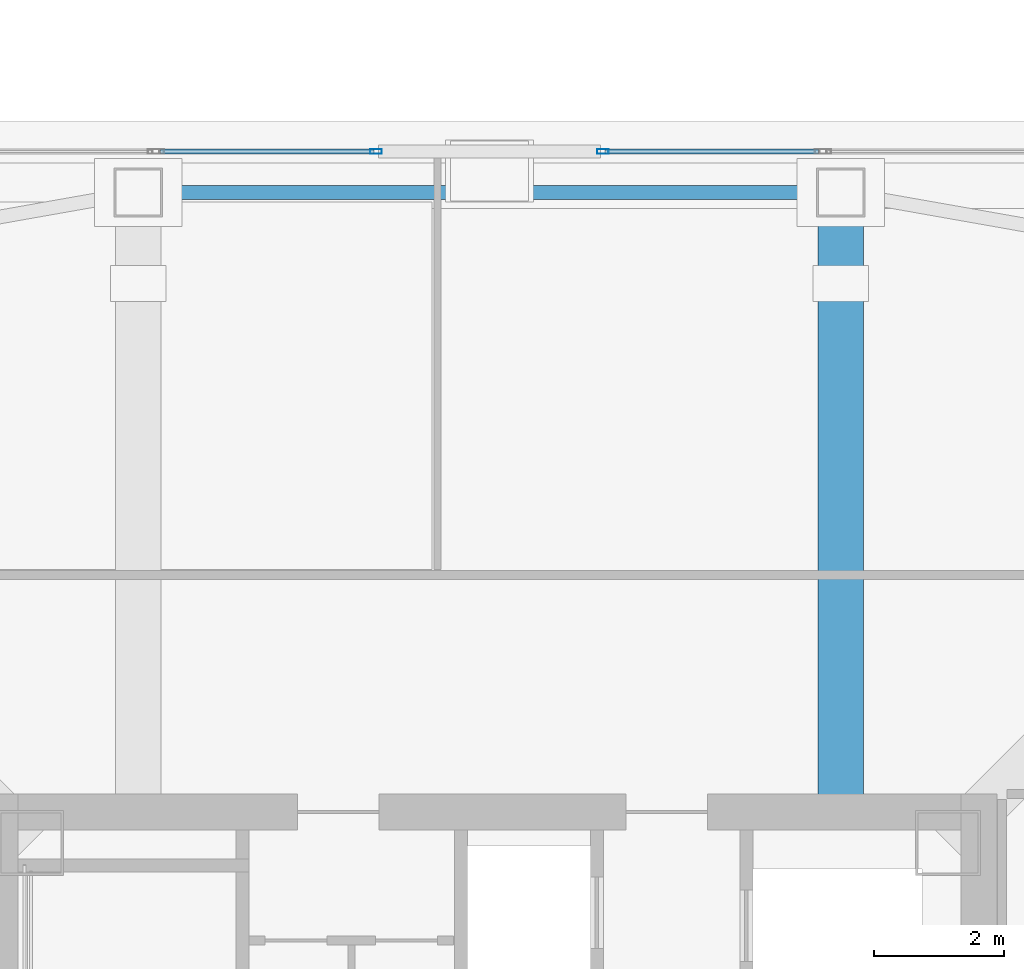
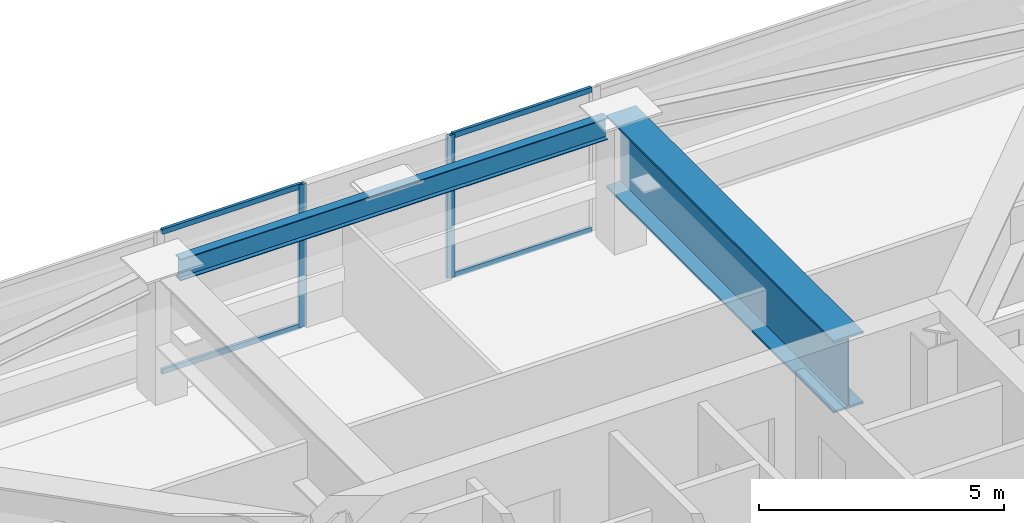
# One storey, part 13 of 42: 6 members, 2 beams, 2 elements without a shape of their own.
"""IFC4 building model written with IfcOpenShell, lengths in metres."""

from ifc_helpers import new_model, si_unit, direction, frame, origin, origin_2d, place, context, subcontext, project, spatial, hollow_rectangle, i_section, extrude, material, material_profile, profile_set, type_object, element, aggregate, save


model = new_model("IFC4")

# Units and contexts
model_context = context("Model", 3, precision=1e-05, world=origin(), true_north=direction((0.0, 1.0)))
body_context = subcontext(model_context, "Body", "Model", "MODEL_VIEW")
ifc_project = project(units=[si_unit("LENGTHUNIT", "METRE"), si_unit("AREAUNIT", "SQUARE_METRE"), si_unit("VOLUMEUNIT", "CUBIC_METRE"), si_unit("PLANEANGLEUNIT", "RADIAN"), si_unit("MASSUNIT", "GRAM", prefix="KILO")], contexts=[model_context])

# Site, building, storey
site_placement = place(None, origin())
site = spatial("IfcSite", under=ifc_project, at=site_placement, CompositionType="ELEMENT")
building_placement = place(site_placement, origin())
building = spatial("IfcBuilding", under=site, at=building_placement, Name="Tashvorn Skyway Center", CompositionType="ELEMENT")
storey_placement = place(building_placement, frame((0.0, 0.0, 196.050048828125)))
storey = spatial("IfcBuildingStorey", under=building, at=storey_placement, Name="L53", CompositionType="ELEMENT", Elevation=196.050048828125)

# Beams
ifc_material_1 = material(Name="Steel ASTM A572 Grade 50", Category="steel")
ifc_material_profile_1 = material_profile(ifc_material_1, i_section(OverallWidth=0.699951171875, OverallDepth=1.800048828125, WebThickness=0.031982421875, FlangeThickness=0.050048828125, at=origin_2d()), Name="PG1800x700")
ifc_profile_set_1 = profile_set([ifc_material_profile_1], Name="Steel ASTM A572 Grade 50")
beam_type_1 = type_object("IfcBeamType", Name="BM-BEAM-PG1800x700", PredefinedType="BEAM", material=ifc_profile_set_1)
beam_1_placement = place(storey_placement, frame((47.39990234375, 49.050048828125, 2.349853515625), z_axis=(0.0, -1.0, 0.0), x_axis=(1.0, 0.0, 0.0)))
element("IfcBeam", 1, at=beam_1_placement, inside=storey, type_object=beam_type_1, Name="Tower 1 L53 Setback Transfer Girder FC-N1", PredefinedType="BEAM", context=body_context, shape_type="SweptSolid", body=[
    extrude(i_section(OverallWidth=0.699951171875, OverallDepth=1.800048828125, WebThickness=0.031982421875, FlangeThickness=0.050048828125, at=origin_2d()), origin(), (0.0, 0.0, 1.0), 9.27001953125),
])
ifc_material_2 = material(Name="Steel ASTM A992 Grade 50", Category="steel")
ifc_material_profile_2 = material_profile(ifc_material_2, i_section(OverallWidth=0.2109375, OverallDepth=0.5390625, WebThickness=0.01171875, FlangeThickness=0.018798828125, at=origin_2d()), Name="W21X73")
ifc_profile_set_2 = profile_set([ifc_material_profile_2], Name="Steel ASTM A992 Grade 50")
beam_type_2 = type_object("IfcBeamType", Name="BM-SPANDREL-W21X73", PredefinedType="SPANDREL", material=ifc_profile_set_2)
beam_2_placement = place(storey_placement, frame((47.030029296875, 49.050048828125, 2.98046875), z_axis=(-1.0, 0.0, 0.0), x_axis=(0.0, -1.0, 0.0)))
element("IfcBeam", 2, at=beam_2_placement, inside=storey, type_object=beam_type_2, Name="Tower 1 L53 Spandrel Beam 08", PredefinedType="SPANDREL", context=body_context, shape_type="SweptSolid", body=[
    extrude(i_section(OverallWidth=0.2109375, OverallDepth=0.5390625, WebThickness=0.01171875, FlangeThickness=0.018798828125, at=origin_2d()), origin(), (0.0, 0.0, 1.0), 10.06005859375),
])

# Curtain wall, member
ifc_material_3 = material(Name="Thermally broken bronze-anodized aluminium 6063-T6", Category="aluminium")
curtain_wall_type = type_object("IfcCurtainWallType", Name="CW-CW-Z4", PredefinedType="NOTDEFINED", material=ifc_material_3)
curtain_wall_1_placement = place(storey_placement, origin())
curtain_wall_1 = element("IfcCurtainWall", 3, at=curtain_wall_1_placement, inside=storey, type_object=curtain_wall_type, Name="Tower 1 L53 North Unitised Curtain Wall Glazing Group 2", PredefinedType="NOTDEFINED")
ifc_material_profile_3 = material_profile(ifc_material_3, hollow_rectangle(XDim=0.070068359375, YDim=0.179931640625, WallThickness=0.00390625, at=origin_2d()), Name="ALU-MULL-70x180")
ifc_profile_set_3 = profile_set([ifc_material_profile_3], Name="Thermally broken bronze-anodized aluminium 6063-T6")
member_type_1 = type_object("IfcMemberType", Name="CWM-CW-Z4", PredefinedType="MULLION", material=ifc_profile_set_3)
member_1_placement = place(storey_placement, frame((40.256103515625, 49.679931640625, 0.0), z_axis=(0.0, 0.0, 1.0), x_axis=(0.0, 1.0, 0.0)))
member_1 = element("IfcMember", 4, at=member_1_placement, type_object=member_type_1, Name="CW-Z4 mullion 2", PredefinedType="MULLION", context=body_context, shape_type="SweptSolid", body=[
    extrude(hollow_rectangle(XDim=0.070068359375, YDim=0.179931640625, WallThickness=0.00390625, at=origin_2d()), origin(), (0.0, 0.0, 1.0), 3.550048828125),
])

curtain_wall_2_placement = place(storey_placement, origin())
curtain_wall_2 = element("IfcCurtainWall", 5, at=curtain_wall_2_placement, inside=storey, type_object=curtain_wall_type, Name="Tower 1 L53 North Unitised Curtain Wall Glazing Group 3", PredefinedType="NOTDEFINED")
member_2_placement = place(storey_placement, frame((43.743896484375, 49.679931640625, 0.0), z_axis=(0.0, 0.0, 1.0), x_axis=(0.0, 1.0, 0.0)))
member_2 = element("IfcMember", 6, at=member_2_placement, type_object=member_type_1, Name="CW-Z4 mullion 1", PredefinedType="MULLION", context=body_context, shape_type="SweptSolid", body=[
    extrude(hollow_rectangle(XDim=0.070068359375, YDim=0.179931640625, WallThickness=0.00390625, at=origin_2d()), origin(), (0.0, 0.0, 1.0), 3.550048828125),
])

# Member
ifc_material_profile_4 = material_profile(ifc_material_3, hollow_rectangle(XDim=0.070068359375, YDim=0.1298828125, WallThickness=0.00390625, at=origin_2d()), Name="ALU-TRAN-70x130")
ifc_profile_set_4 = profile_set([ifc_material_profile_4], Name="Thermally broken bronze-anodized aluminium 6063-T6")
member_type_2 = type_object("IfcMemberType", Name="CWT-CW-Z4", PredefinedType="USERDEFINED", material=ifc_profile_set_4)
member_3_placement = place(storey_placement, frame((36.943359375, 49.679931640625, 0.034912109375), z_axis=(1.0, 0.0, 0.0), x_axis=(0.0, 1.0, 0.0)))
member_3 = element("IfcMember", 7, at=member_3_placement, type_object=member_type_2, Name="CW-Z4 transom 1.1", ObjectType="TRANSOM", PredefinedType="USERDEFINED", context=body_context, shape_type="SweptSolid", body=[
    extrude(hollow_rectangle(XDim=0.070068359375, YDim=0.1298828125, WallThickness=0.00390625, at=origin_2d()), origin(), (0.0, 0.0, 1.0), 3.27783203125),
])

member_4_placement = place(storey_placement, frame((36.943359375, 49.679931640625, 3.514892578125), z_axis=(1.0, 0.0, 0.0), x_axis=(0.0, 1.0, 0.0)))
member_4 = element("IfcMember", 8, at=member_4_placement, type_object=member_type_2, Name="CW-Z4 transom 1.2", ObjectType="TRANSOM", PredefinedType="USERDEFINED", context=body_context, shape_type="SweptSolid", body=[
    extrude(hollow_rectangle(XDim=0.070068359375, YDim=0.1298828125, WallThickness=0.00390625, at=origin_2d()), origin(), (0.0, 0.0, 1.0), 3.27783203125),
])

aggregate(curtain_wall_1, [member_1, member_3, member_4])

member_5_placement = place(storey_placement, frame((43.77880859375, 49.679931640625, 0.034912109375), z_axis=(1.0, 0.0, 0.0), x_axis=(0.0, 1.0, 0.0)))
member_5 = element("IfcMember", 9, at=member_5_placement, type_object=member_type_2, Name="CW-Z4 transom 1.1", ObjectType="TRANSOM", PredefinedType="USERDEFINED", context=body_context, shape_type="SweptSolid", body=[
    extrude(hollow_rectangle(XDim=0.070068359375, YDim=0.1298828125, WallThickness=0.00390625, at=origin_2d()), origin(), (0.0, 0.0, 1.0), 3.27783203125),
])

member_6_placement = place(storey_placement, frame((43.77880859375, 49.679931640625, 3.514892578125), z_axis=(1.0, 0.0, 0.0), x_axis=(0.0, 1.0, 0.0)))
member_6 = element("IfcMember", 10, at=member_6_placement, type_object=member_type_2, Name="CW-Z4 transom 1.2", ObjectType="TRANSOM", PredefinedType="USERDEFINED", context=body_context, shape_type="SweptSolid", body=[
    extrude(hollow_rectangle(XDim=0.070068359375, YDim=0.1298828125, WallThickness=0.00390625, at=origin_2d()), origin(), (0.0, 0.0, 1.0), 3.27783203125),
])

aggregate(curtain_wall_2, [member_2, member_5, member_6])

save(model, "model.ifc")
